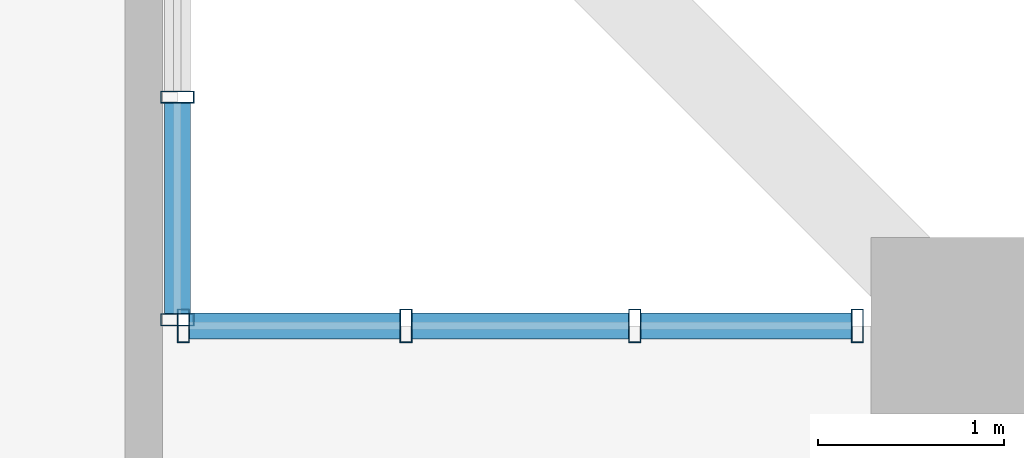
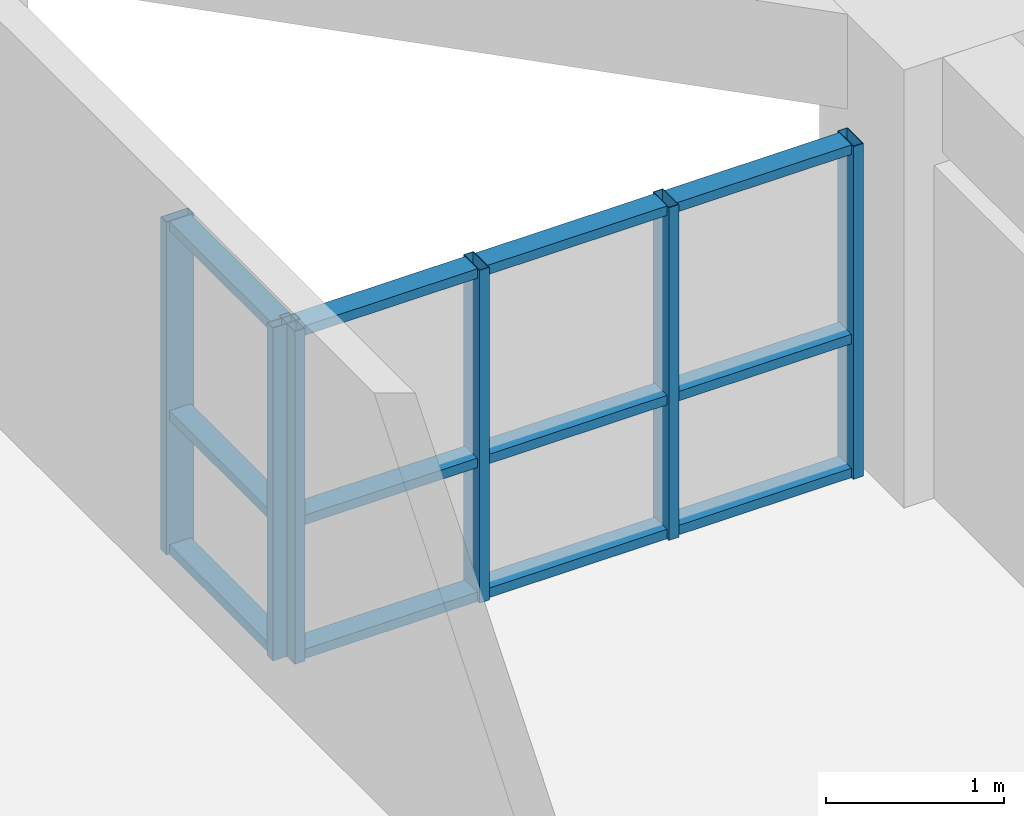
# One storey, part 10 of 25: 18 members, 2 elements without a shape of their own.
"""IFC4 building model written with IfcOpenShell, lengths in metres."""

from ifc_helpers import new_model, si_unit, direction, frame, origin, origin_2d, place, context, subcontext, project, spatial, hollow_rectangle, extrude, source, transform, mapped, material, layer, layer_set, material_profile, profile_set, type_object, element, aggregate, save


model = new_model("IFC4")

# Units and contexts
model_context = context("Model", 3, precision=1e-05, world=origin(), true_north=direction((0.0, 1.0)))
body_context = subcontext(model_context, "Body", "Model", "MODEL_VIEW")
ifc_project = project(units=[si_unit("LENGTHUNIT", "METRE"), si_unit("AREAUNIT", "SQUARE_METRE"), si_unit("VOLUMEUNIT", "CUBIC_METRE"), si_unit("PLANEANGLEUNIT", "RADIAN"), si_unit("MASSUNIT", "GRAM", prefix="KILO")], contexts=[model_context])

# Site, building, storey
site_placement = place(None, origin())
site = spatial("IfcSite", under=ifc_project, at=site_placement, CompositionType="ELEMENT")
building_placement = place(site_placement, origin())
building = spatial("IfcBuilding", under=site, at=building_placement, Name="Saelheon Loggia Tower", CompositionType="ELEMENT")
storey_placement = place(building_placement, frame((0.0, 0.0, 80.85009765625)))
storey = spatial("IfcBuildingStorey", under=building, at=storey_placement, Name="L25", CompositionType="ELEMENT", Elevation=80.85009765625)

# Curtain wall, members
ifc_material_1 = material(Name="Thermal-Break Aluminium and Triple Low-E Glass", Category="aluminium")
ifc_layer = layer(ifc_material_1, 0.159912109375)
ifc_layer_set = layer_set([ifc_layer], Name="Thermal-Break Aluminium and Triple Low-E Glass")
curtain_wall_type = type_object("IfcCurtainWallType", Name="CW_TowerLoggiaLow", PredefinedType="NOTDEFINED", material=ifc_layer_set)
curtain_wall_1_placement = place(storey_placement, origin())
curtain_wall_1 = element("IfcCurtainWall", 1, at=curtain_wall_1_placement, inside=storey, type_object=curtain_wall_type, Name="L25 Corner Notch Glazing NE1", PredefinedType="NOTDEFINED")
ifc_material_2 = material(Name="Anodised Aluminium 6063-T6", Category="aluminium")
ifc_material_profile_1 = material_profile(ifc_material_2, hollow_rectangle(XDim=0.06494140625, YDim=0.179931640625, WallThickness=0.00390625, at=origin_2d()), Name="RHS-180x65x4")
ifc_profile_set_1 = profile_set([ifc_material_profile_1], Name="Anodised Aluminium 6063-T6")
member_type_1 = type_object("IfcMemberType", Name="CW_TowerLoggiaLow_Mullion", PredefinedType="MULLION", material=ifc_profile_set_1)
shared_shape_1 = source(origin(), body_context, "Body", "SweptSolid", [
    extrude(hollow_rectangle(XDim=0.06494140625, YDim=0.179931640625, WallThickness=0.00390625, at=origin_2d()), origin(), (0.0, 0.0, 1.0), 2.27978515625),
])
member_1_placement = place(storey_placement, frame((59.800048828125, 46.83251953125, 0.0), z_axis=(0.0, 0.0, 1.0), x_axis=(0.0, 1.0, 0.0)))
member_1 = element("IfcMember", 2, at=member_1_placement, type_object=member_type_1, Name="CW3 mullion 1", PredefinedType="MULLION", context=body_context, shape_type="MappedRepresentation", body=[
    mapped(shared_shape_1, transform((0.0, 0.0, 0.0), scale=1.0)),
])
member_2_placement = place(storey_placement, frame((59.800048828125, 48.0283203125, 0.0), z_axis=(0.0, 0.0, 1.0), x_axis=(0.0, 1.0, 0.0)))
member_2 = element("IfcMember", 3, at=member_2_placement, type_object=member_type_1, Name="CW3 mullion 2", PredefinedType="MULLION", context=body_context, shape_type="MappedRepresentation", body=[
    mapped(shared_shape_1, transform((0.0, 0.0, 0.0), scale=1.0)),
])

curtain_wall_2_placement = place(storey_placement, origin())
curtain_wall_2 = element("IfcCurtainWall", 4, at=curtain_wall_2_placement, inside=storey, type_object=curtain_wall_type, Name="L25 Corner Notch Glazing NE2", PredefinedType="NOTDEFINED")
member_3_placement = place(storey_placement, frame((59.83251953125, 46.800048828125, 0.0), z_axis=(0.0, 0.0, 1.0), x_axis=(1.0, 0.0, 0.0)))
member_3 = element("IfcMember", 5, at=member_3_placement, type_object=member_type_1, Name="CW3 mullion 1", PredefinedType="MULLION", context=body_context, shape_type="MappedRepresentation", body=[
    mapped(shared_shape_1, transform((0.0, 0.0, 0.0), scale=1.0)),
])
member_4_placement = place(storey_placement, frame((61.0283203125, 46.800048828125, 0.0), z_axis=(0.0, 0.0, 1.0), x_axis=(1.0, 0.0, 0.0)))
member_4 = element("IfcMember", 6, at=member_4_placement, type_object=member_type_1, Name="CW3 mullion 2", PredefinedType="MULLION", context=body_context, shape_type="MappedRepresentation", body=[
    mapped(shared_shape_1, transform((0.0, 0.0, 0.0), scale=1.0)),
])
member_5_placement = place(storey_placement, frame((62.256591796875, 46.800048828125, 0.0), z_axis=(0.0, 0.0, 1.0), x_axis=(1.0, 0.0, 0.0)))
member_5 = element("IfcMember", 7, at=member_5_placement, type_object=member_type_1, Name="CW3 mullion 3", PredefinedType="MULLION", context=body_context, shape_type="MappedRepresentation", body=[
    mapped(shared_shape_1, transform((0.0, 0.0, 0.0), scale=1.0)),
])
member_6_placement = place(storey_placement, frame((63.452392578125, 46.800048828125, 0.0), z_axis=(0.0, 0.0, 1.0), x_axis=(1.0, 0.0, 0.0)))
member_6 = element("IfcMember", 8, at=member_6_placement, type_object=member_type_1, Name="CW3 mullion 4", PredefinedType="MULLION", context=body_context, shape_type="MappedRepresentation", body=[
    mapped(shared_shape_1, transform((0.0, 0.0, 0.0), scale=1.0)),
])

# Member
ifc_material_profile_2 = material_profile(ifc_material_2, hollow_rectangle(XDim=0.06494140625, YDim=0.139892578125, WallThickness=0.00390625, at=origin_2d()), Name="RHS-140x65x4")
ifc_profile_set_2 = profile_set([ifc_material_profile_2], Name="Anodised Aluminium 6063-T6")
member_type_2 = type_object("IfcMemberType", Name="CW_TowerLoggiaLow_Transom", PredefinedType="USERDEFINED", material=ifc_profile_set_2)
shared_shape_2 = source(origin(), body_context, "Body", "SweptSolid", [
    extrude(hollow_rectangle(XDim=0.06494140625, YDim=0.139892578125, WallThickness=0.00390625, at=origin_2d()), origin(), (0.0, 0.0, 1.0), 1.130859375),
])
member_7_placement = place(storey_placement, frame((59.800048828125, 46.864990234375, 0.032470703125), z_axis=(0.0, 1.0, 0.0), x_axis=(0.0, 0.0, 1.0)))
member_7 = element("IfcMember", 9, at=member_7_placement, type_object=member_type_2, Name="CW3 transom 1.1", ObjectType="TRANSOM", PredefinedType="USERDEFINED", context=body_context, shape_type="MappedRepresentation", body=[
    mapped(shared_shape_2, transform((0.0, 0.0, 0.0), scale=1.0)),
])

member_8_placement = place(storey_placement, frame((59.800048828125, 46.864990234375, 0.949951171875), z_axis=(0.0, 1.0, 0.0), x_axis=(0.0, 0.0, 1.0)))
member_8 = element("IfcMember", 10, at=member_8_placement, type_object=member_type_2, Name="CW3 transom 1.2", ObjectType="TRANSOM", PredefinedType="USERDEFINED", context=body_context, shape_type="MappedRepresentation", body=[
    mapped(shared_shape_2, transform((0.0, 0.0, 0.0), scale=1.0)),
])

member_9_placement = place(storey_placement, frame((59.800048828125, 46.864990234375, 2.247314453125), z_axis=(0.0, 1.0, 0.0), x_axis=(0.0, 0.0, 1.0)))
member_9 = element("IfcMember", 11, at=member_9_placement, type_object=member_type_2, Name="CW3 transom 1.3", ObjectType="TRANSOM", PredefinedType="USERDEFINED", context=body_context, shape_type="MappedRepresentation", body=[
    mapped(shared_shape_2, transform((0.0, 0.0, 0.0), scale=1.0)),
])

aggregate(curtain_wall_1, [member_1, member_2, member_7, member_8, member_9])

member_10_placement = place(storey_placement, frame((59.864990234375, 46.800048828125, 0.032470703125), z_axis=(1.0, 0.0, 0.0), x_axis=(0.0, 0.0, 1.0)))
member_10 = element("IfcMember", 12, at=member_10_placement, type_object=member_type_2, Name="CW3 transom 1.1", ObjectType="TRANSOM", PredefinedType="USERDEFINED", context=body_context, shape_type="MappedRepresentation", body=[
    mapped(shared_shape_2, transform((0.0, 0.0, 0.0), scale=1.0)),
])

member_11_placement = place(storey_placement, frame((59.864990234375, 46.800048828125, 0.949951171875), z_axis=(1.0, 0.0, 0.0), x_axis=(0.0, 0.0, 1.0)))
member_11 = element("IfcMember", 13, at=member_11_placement, type_object=member_type_2, Name="CW3 transom 1.2", ObjectType="TRANSOM", PredefinedType="USERDEFINED", context=body_context, shape_type="MappedRepresentation", body=[
    mapped(shared_shape_2, transform((0.0, 0.0, 0.0), scale=1.0)),
])

member_12_placement = place(storey_placement, frame((59.864990234375, 46.800048828125, 2.247314453125), z_axis=(1.0, 0.0, 0.0), x_axis=(0.0, 0.0, 1.0)))
member_12 = element("IfcMember", 14, at=member_12_placement, type_object=member_type_2, Name="CW3 transom 1.3", ObjectType="TRANSOM", PredefinedType="USERDEFINED", context=body_context, shape_type="MappedRepresentation", body=[
    mapped(shared_shape_2, transform((0.0, 0.0, 0.0), scale=1.0)),
])

member_13_placement = place(storey_placement, frame((62.2890625, 46.800048828125, 0.032470703125), z_axis=(1.0, 0.0, 0.0), x_axis=(0.0, 0.0, 1.0)))
member_13 = element("IfcMember", 15, at=member_13_placement, type_object=member_type_2, Name="CW3 transom 3.1", ObjectType="TRANSOM", PredefinedType="USERDEFINED", context=body_context, shape_type="MappedRepresentation", body=[
    mapped(shared_shape_2, transform((0.0, 0.0, 0.0), scale=1.0)),
])

member_14_placement = place(storey_placement, frame((62.2890625, 46.800048828125, 0.949951171875), z_axis=(1.0, 0.0, 0.0), x_axis=(0.0, 0.0, 1.0)))
member_14 = element("IfcMember", 16, at=member_14_placement, type_object=member_type_2, Name="CW3 transom 3.2", ObjectType="TRANSOM", PredefinedType="USERDEFINED", context=body_context, shape_type="MappedRepresentation", body=[
    mapped(shared_shape_2, transform((0.0, 0.0, 0.0), scale=1.0)),
])

member_15_placement = place(storey_placement, frame((62.2890625, 46.800048828125, 2.247314453125), z_axis=(1.0, 0.0, 0.0), x_axis=(0.0, 0.0, 1.0)))
member_15 = element("IfcMember", 17, at=member_15_placement, type_object=member_type_2, Name="CW3 transom 3.3", ObjectType="TRANSOM", PredefinedType="USERDEFINED", context=body_context, shape_type="MappedRepresentation", body=[
    mapped(shared_shape_2, transform((0.0, 0.0, 0.0), scale=1.0)),
])

shared_shape_3 = source(origin(), body_context, "Body", "SweptSolid", [
    extrude(hollow_rectangle(XDim=0.06494140625, YDim=0.139892578125, WallThickness=0.00390625, at=origin_2d()), origin(), (0.0, 0.0, 1.0), 1.163330078125),
])
member_16_placement = place(storey_placement, frame((61.060791015625, 46.800048828125, 0.032470703125), z_axis=(1.0, 0.0, 0.0), x_axis=(0.0, 0.0, 1.0)))
member_16 = element("IfcMember", 18, at=member_16_placement, type_object=member_type_2, Name="CW3 transom 2.1", ObjectType="TRANSOM", PredefinedType="USERDEFINED", context=body_context, shape_type="MappedRepresentation", body=[
    mapped(shared_shape_3, transform((0.0, 0.0, 0.0), scale=1.0)),
])

member_17_placement = place(storey_placement, frame((61.060791015625, 46.800048828125, 0.949951171875), z_axis=(1.0, 0.0, 0.0), x_axis=(0.0, 0.0, 1.0)))
member_17 = element("IfcMember", 19, at=member_17_placement, type_object=member_type_2, Name="CW3 transom 2.2", ObjectType="TRANSOM", PredefinedType="USERDEFINED", context=body_context, shape_type="MappedRepresentation", body=[
    mapped(shared_shape_3, transform((0.0, 0.0, 0.0), scale=1.0)),
])

member_18_placement = place(storey_placement, frame((61.060791015625, 46.800048828125, 2.247314453125), z_axis=(1.0, 0.0, 0.0), x_axis=(0.0, 0.0, 1.0)))
member_18 = element("IfcMember", 20, at=member_18_placement, type_object=member_type_2, Name="CW3 transom 2.3", ObjectType="TRANSOM", PredefinedType="USERDEFINED", context=body_context, shape_type="MappedRepresentation", body=[
    mapped(shared_shape_3, transform((0.0, 0.0, 0.0), scale=1.0)),
])

aggregate(curtain_wall_2, [member_3, member_4, member_5, member_6, member_10, member_11, member_12, member_16, member_17, member_18, member_13, member_14, member_15])

save(model, "model.ifc")
